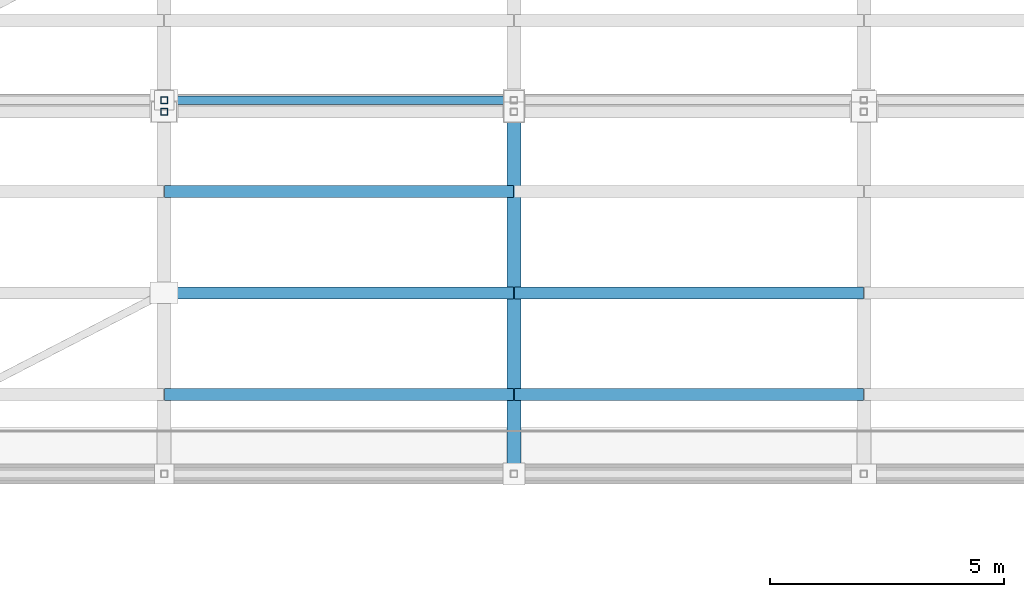
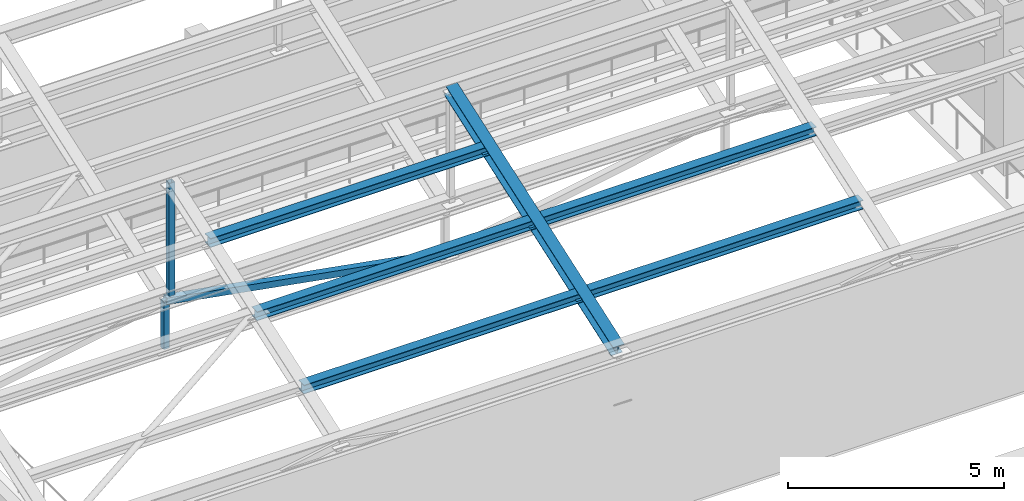
# One storey, part 25 of 76: 9 members.
"""IFC4 building model written with IfcOpenShell, lengths in metres."""

from ifc_helpers import new_model, si_unit, direction, frame, origin, origin_2d, place, context, subcontext, project, spatial, hollow_rectangle, i_section, extrude, material, material_profile, profile_set, type_object, element, save


model = new_model("IFC4")

# Units and contexts
model_context = context("Model", 3, precision=1e-05, world=origin(), true_north=direction((0.0, 1.0)))
body_context = subcontext(model_context, "Body", "Model", "MODEL_VIEW")
ifc_project = project(units=[si_unit("LENGTHUNIT", "METRE"), si_unit("AREAUNIT", "SQUARE_METRE"), si_unit("VOLUMEUNIT", "CUBIC_METRE"), si_unit("PLANEANGLEUNIT", "RADIAN"), si_unit("MASSUNIT", "GRAM", prefix="KILO")], contexts=[model_context])

# Site, building, storey
site_placement = place(None, origin())
site = spatial("IfcSite", under=ifc_project, at=site_placement, CompositionType="ELEMENT")
building_placement = place(site_placement, origin())
building = spatial("IfcBuilding", under=site, at=building_placement, Name="Cinchona Park Media Centre", CompositionType="ELEMENT")
storey_placement = place(building_placement, frame((0.0, 0.0, 15.60009765625)))
storey = spatial("IfcBuildingStorey", under=building, at=storey_placement, Name="L03", CompositionType="ELEMENT", Elevation=15.60009765625)

# Members
ifc_material_1 = material(Name="Steel S355", Category="steel")
ifc_material_profile_1 = material_profile(ifc_material_1, i_section(OverallWidth=0.25390625, OverallDepth=0.2529296875, WebThickness=0.008544921875, FlangeThickness=0.01416015625, at=origin_2d()), Name="W250X73")
ifc_profile_set_1 = profile_set([ifc_material_profile_1], Name="Steel S355")
member_type_1 = type_object("IfcMemberType", Name="MEMBER-PR02-W250X73", PredefinedType="PURLIN", material=ifc_profile_set_1)
for number, where, z_axis, x_axis, name in (
    (1, (22.89990234375, 103.705078125, 5.33740234375), (1.0, 0.0, 0.0), (0.0, 1.0, 0.0), "Sawtooth Roof Purlin PR02"),
    (2, (30.389892578125, 103.705078125, 5.33740234375), (1.0, 0.0, 0.0), (0.0, 1.0, 0.0), "Sawtooth Roof Purlin PR02"),
    (3, (22.89990234375, 105.875, 6.093505859375), (1.0, 0.0, 0.0), (0.0, 1.0, 0.0), "Sawtooth Roof Purlin PR02"),
    (4, (30.389892578125, 105.875, 6.093505859375), (1.0, 0.0, 0.0), (0.0, 1.0, 0.0), "Sawtooth Roof Purlin PR02"),
    (5, (22.89990234375, 108.044921875, 6.849365234375), (1.0, 0.0, 0.0), (0.0, 1.0, 0.0), "Sawtooth Roof Purlin PR02"),
):
    element("IfcMember", number, at=place(storey_placement, frame(where, z_axis=z_axis, x_axis=x_axis)), inside=storey, type_object=member_type_1, Name=name, PredefinedType="PURLIN", context=body_context, shape_type="SweptSolid", body=[
        extrude(i_section(OverallWidth=0.25390625, OverallDepth=0.2529296875, WebThickness=0.008544921875, FlangeThickness=0.01416015625, at=origin_2d()), origin(), (0.0, 0.0, 1.0), 7.47021484375),
    ])
ifc_material_2 = material(Name="Steel S355", Category="steel")
ifc_material_profile_2 = material_profile(ifc_material_2, hollow_rectangle(XDim=0.14990234375, YDim=0.14990234375, WallThickness=0.010009765625, at=origin_2d()), Name="150X150X10SHS")
ifc_profile_set_2 = profile_set([ifc_material_profile_2], Name="Steel S355")
member_type_2 = type_object("IfcMemberType", Name="MEMBER-TS03-SHS150X150X10", PredefinedType="STRUT", material=ifc_profile_set_2)
member_1_placement = place(storey_placement, frame((22.889892578125, 109.75, 4.2998046875), z_axis=(0.0, 0.0, 1.0), x_axis=(1.0, 0.0, 0.0)))
element("IfcMember", 6, at=member_1_placement, inside=storey, type_object=member_type_2, Name="ROOF TRUSS Monitor Post V2 Bay 1", PredefinedType="STRUT", context=body_context, shape_type="SweptSolid", body=[
    extrude(hollow_rectangle(XDim=0.14990234375, YDim=0.14990234375, WallThickness=0.010009765625, at=origin_2d()), origin(), (0.0, 0.0, 1.0), 3.2001953125),
])
member_2_placement = place(storey_placement, frame((22.889892578125, 110.0, 2.64990234375), z_axis=(0.0, 0.0, 1.0), x_axis=(1.0, 0.0, 0.0)))
element("IfcMember", 7, at=member_2_placement, inside=storey, type_object=member_type_2, Name="ROOF TRUSS Vertical Strut TN1", PredefinedType="STRUT", context=body_context, shape_type="SweptSolid", body=[
    extrude(hollow_rectangle(XDim=0.14990234375, YDim=0.14990234375, WallThickness=0.010009765625, at=origin_2d()), origin(), (0.0, 0.0, 1.0), 1.35009765625),
])
ifc_material_3 = material(Name="Steel S355", Category="steel")
ifc_material_profile_3 = material_profile(ifc_material_3, hollow_rectangle(XDim=0.179931640625, YDim=0.179931640625, WallThickness=0.012451171875, at=origin_2d()), Name="180X180X12.5SHS")
ifc_profile_set_3 = profile_set([ifc_material_profile_3], Name="Steel S355")
member_type_3 = type_object("IfcMemberType", Name="MEMBER-TS04-SHS180X180X12.5", PredefinedType="STRUT", material=ifc_profile_set_3)
member_3_placement = place(storey_placement, frame((22.889892578125, 110.0, 4.0), z_axis=(0.984139781218, 0.0, -0.177394732232), x_axis=(0.0, 1.0, 0.0)))
element("IfcMember", 8, at=member_3_placement, inside=storey, type_object=member_type_3, Name="ROOF TRUSS Web Diagonal TN2", PredefinedType="STRUT", context=body_context, shape_type="SweptSolid", body=[
    extrude(hollow_rectangle(XDim=0.179931640625, YDim=0.179931640625, WallThickness=0.012451171875, at=origin_2d()), origin(), (0.0, 0.0, 1.0), 7.610595703125),
])
ifc_material_4 = material(Name="Steel S355", Category="steel")
ifc_material_profile_4 = material_profile(ifc_material_4, i_section(OverallWidth=0.304931640625, OverallDepth=0.30810546875, WebThickness=0.010009765625, FlangeThickness=0.015380859375, at=origin_2d()), Name="W310X97")
ifc_profile_set_4 = profile_set([ifc_material_profile_4], Name="Steel S355")
member_type_4 = type_object("IfcMemberType", Name="MEMBER-TS06-W310X97", PredefinedType="STRUT", material=ifc_profile_set_4)
member_4_placement = place(storey_placement, frame((30.3798828125, 102.0, 4.7998046875), z_axis=(0.0, 0.944324900954, 0.329014409165), x_axis=(-1.0, 0.0, 0.0)))
element("IfcMember", 9, at=member_4_placement, inside=storey, type_object=member_type_4, Name="ROOF TRUSS Sawtooth Rafter V2 Bay 1", PredefinedType="STRUT", context=body_context, shape_type="SweptSolid", body=[
    extrude(i_section(OverallWidth=0.304931640625, OverallDepth=0.30810546875, WebThickness=0.010009765625, FlangeThickness=0.015380859375, at=origin_2d()), origin(), (0.0, 0.0, 1.0), 8.20703125),
])

save(model, "model.ifc")
